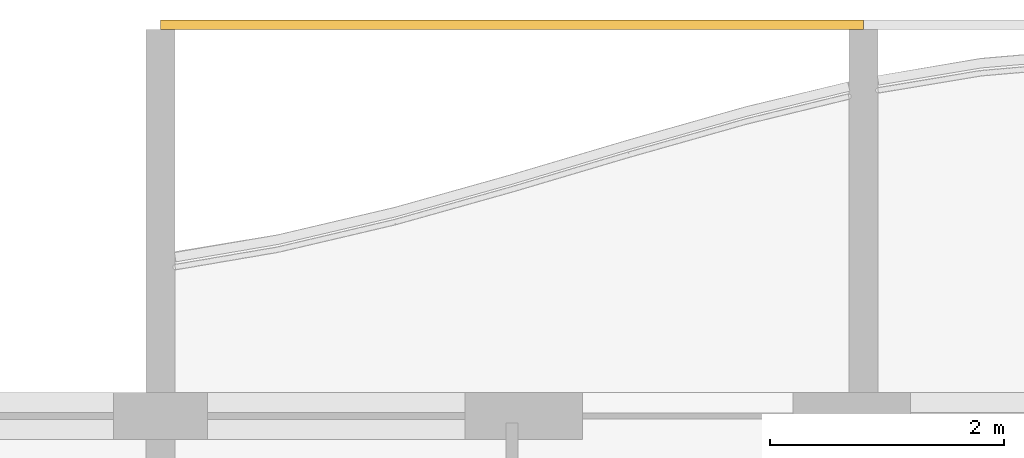
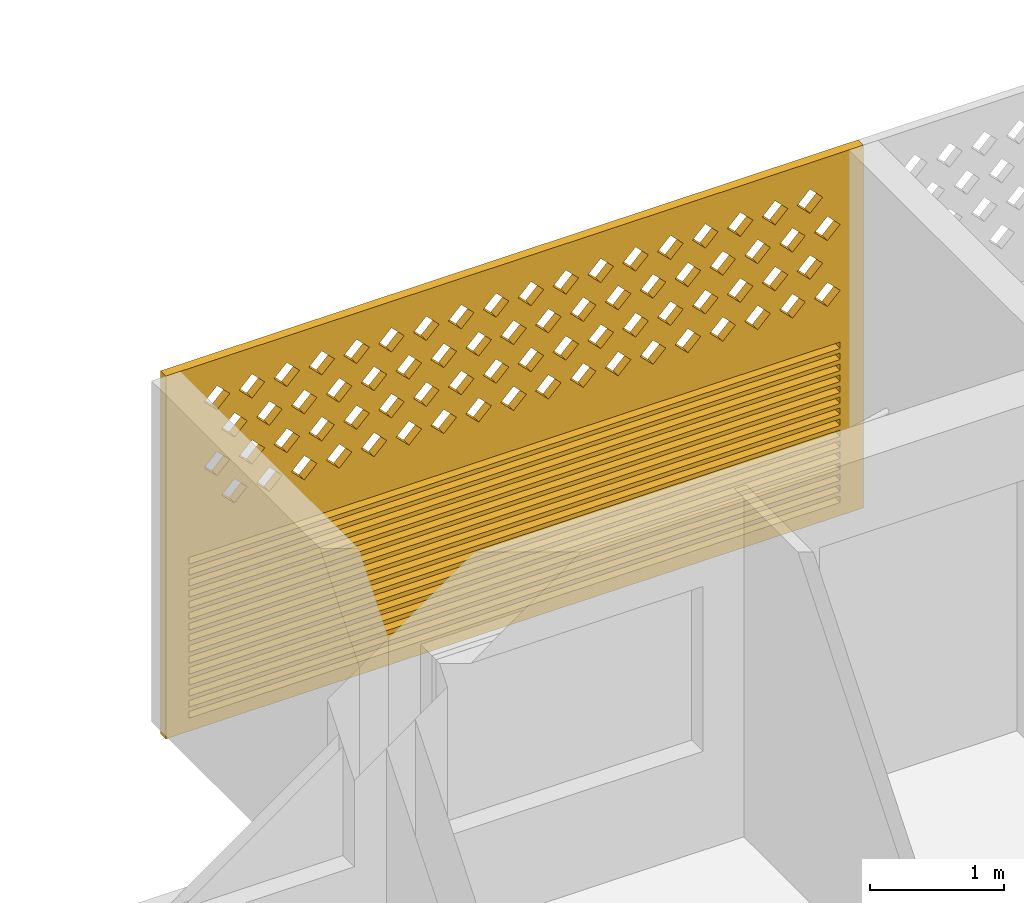
# One storey, part 19 of 29: 1 covering.
"""IFC4 building model written with IfcOpenShell, lengths in metres."""

from ifc_helpers import new_model, si_unit, direction, frame, origin, place, context, subcontext, project, spatial, polyline, outline, extrude, source, transform, mapped, material, material_profile, profile_set, type_object, element, save


model = new_model("IFC4")

# Units and contexts
model_context = context("Model", 3, precision=1e-05, world=origin(), true_north=direction((0.0, 1.0)))
body_context = subcontext(model_context, "Body", "Model", "MODEL_VIEW")
ifc_project = project(units=[si_unit("LENGTHUNIT", "METRE"), si_unit("AREAUNIT", "SQUARE_METRE"), si_unit("VOLUMEUNIT", "CUBIC_METRE"), si_unit("PLANEANGLEUNIT", "RADIAN"), si_unit("MASSUNIT", "GRAM", prefix="KILO")], contexts=[model_context])

# Site, building, storey
site_placement = place(None, origin())
site = spatial("IfcSite", under=ifc_project, at=site_placement, CompositionType="ELEMENT")
building_placement = place(site_placement, origin())
building = spatial("IfcBuilding", under=site, at=building_placement, Name="Poui Terraces", CompositionType="ELEMENT")
storey_placement = place(building_placement, frame((0.0, 0.0, 237.89990234375)))
storey = spatial("IfcBuildingStorey", under=building, at=storey_placement, Name="L66", CompositionType="ELEMENT", Elevation=237.89990234375)

# Covering
ifc_material = material(Name="Terracotta screen", Category="masonry")
ifc_material_profile = material_profile(ifc_material, outline(polyline([(-3.0, -1.64990234375), (3.0, -1.64990234375), (3.0, 1.64990234375), (-3.0, 1.64990234375), (-3.0, -1.64990234375)]), holes=[polyline([(-2.800048828125, 0.39990234375), (-2.68994140625, 0.2900390625), (-2.580078125, 0.39990234375), (-2.68994140625, 0.510009765625), (-2.800048828125, 0.39990234375)]), polyline([(-2.5, 0.39990234375), (-2.389892578125, 0.2900390625), (-2.280029296875, 0.39990234375), (-2.389892578125, 0.510009765625), (-2.5, 0.39990234375)]), polyline([(-2.199951171875, 0.39990234375), (-2.090087890625, 0.2900390625), (-1.97998046875, 0.39990234375), (-2.090087890625, 0.510009765625), (-2.199951171875, 0.39990234375)]), polyline([(-1.89990234375, 0.39990234375), (-1.7900390625, 0.2900390625), (-1.679931640625, 0.39990234375), (-1.7900390625, 0.510009765625), (-1.89990234375, 0.39990234375)]), polyline([(-1.60009765625, 0.39990234375), (-1.489990234375, 0.2900390625), (-1.3798828125, 0.39990234375), (-1.489990234375, 0.510009765625), (-1.60009765625, 0.39990234375)]), polyline([(-1.300048828125, 0.39990234375), (-1.18994140625, 0.2900390625), (-1.080078125, 0.39990234375), (-1.18994140625, 0.510009765625), (-1.300048828125, 0.39990234375)]), polyline([(-1.0, 0.39990234375), (-0.889892578125, 0.2900390625), (-0.780029296875, 0.39990234375), (-0.889892578125, 0.510009765625), (-1.0, 0.39990234375)]), polyline([(-0.699951171875, 0.39990234375), (-0.590087890625, 0.2900390625), (-0.47998046875, 0.39990234375), (-0.590087890625, 0.510009765625), (-0.699951171875, 0.39990234375)]), polyline([(-0.39990234375, 0.39990234375), (-0.2900390625, 0.2900390625), (-0.179931640625, 0.39990234375), (-0.2900390625, 0.510009765625), (-0.39990234375, 0.39990234375)]), polyline([(-0.10009765625, 0.39990234375), (0.010009765625, 0.2900390625), (0.1201171875, 0.39990234375), (0.010009765625, 0.510009765625), (-0.10009765625, 0.39990234375)]), polyline([(0.199951171875, 0.39990234375), (0.31005859375, 0.2900390625), (0.419921875, 0.39990234375), (0.31005859375, 0.510009765625), (0.199951171875, 0.39990234375)]), polyline([(0.5, 0.39990234375), (0.610107421875, 0.2900390625), (0.719970703125, 0.39990234375), (0.610107421875, 0.510009765625), (0.5, 0.39990234375)]), polyline([(0.800048828125, 0.39990234375), (0.909912109375, 0.2900390625), (1.02001953125, 0.39990234375), (0.909912109375, 0.510009765625), (0.800048828125, 0.39990234375)]), polyline([(1.10009765625, 0.39990234375), (1.2099609375, 0.2900390625), (1.320068359375, 0.39990234375), (1.2099609375, 0.510009765625), (1.10009765625, 0.39990234375)]), polyline([(1.39990234375, 0.39990234375), (1.510009765625, 0.2900390625), (1.6201171875, 0.39990234375), (1.510009765625, 0.510009765625), (1.39990234375, 0.39990234375)]), polyline([(1.699951171875, 0.39990234375), (1.81005859375, 0.2900390625), (1.919921875, 0.39990234375), (1.81005859375, 0.510009765625), (1.699951171875, 0.39990234375)]), polyline([(2.0, 0.39990234375), (2.110107421875, 0.2900390625), (2.219970703125, 0.39990234375), (2.110107421875, 0.510009765625), (2.0, 0.39990234375)]), polyline([(2.300048828125, 0.39990234375), (2.409912109375, 0.2900390625), (2.52001953125, 0.39990234375), (2.409912109375, 0.510009765625), (2.300048828125, 0.39990234375)]), polyline([(-2.64990234375, 0.699951171875), (-2.5400390625, 0.590087890625), (-2.429931640625, 0.699951171875), (-2.5400390625, 0.81005859375), (-2.64990234375, 0.699951171875)]), polyline([(-2.35009765625, 0.699951171875), (-2.239990234375, 0.590087890625), (-2.1298828125, 0.699951171875), (-2.239990234375, 0.81005859375), (-2.35009765625, 0.699951171875)]), polyline([(-2.050048828125, 0.699951171875), (-1.93994140625, 0.590087890625), (-1.830078125, 0.699951171875), (-1.93994140625, 0.81005859375), (-2.050048828125, 0.699951171875)]), polyline([(-1.75, 0.699951171875), (-1.639892578125, 0.590087890625), (-1.530029296875, 0.699951171875), (-1.639892578125, 0.81005859375), (-1.75, 0.699951171875)]), polyline([(-1.449951171875, 0.699951171875), (-1.340087890625, 0.590087890625), (-1.22998046875, 0.699951171875), (-1.340087890625, 0.81005859375), (-1.449951171875, 0.699951171875)]), polyline([(-1.14990234375, 0.699951171875), (-1.0400390625, 0.590087890625), (-0.929931640625, 0.699951171875), (-1.0400390625, 0.81005859375), (-1.14990234375, 0.699951171875)]), polyline([(-0.85009765625, 0.699951171875), (-0.739990234375, 0.590087890625), (-0.6298828125, 0.699951171875), (-0.739990234375, 0.81005859375), (-0.85009765625, 0.699951171875)]), polyline([(-0.550048828125, 0.699951171875), (-0.43994140625, 0.590087890625), (-0.330078125, 0.699951171875), (-0.43994140625, 0.81005859375), (-0.550048828125, 0.699951171875)]), polyline([(-0.25, 0.699951171875), (-0.139892578125, 0.590087890625), (-0.030029296875, 0.699951171875), (-0.139892578125, 0.81005859375), (-0.25, 0.699951171875)]), polyline([(0.050048828125, 0.699951171875), (0.159912109375, 0.590087890625), (0.27001953125, 0.699951171875), (0.159912109375, 0.81005859375), (0.050048828125, 0.699951171875)]), polyline([(0.35009765625, 0.699951171875), (0.4599609375, 0.590087890625), (0.570068359375, 0.699951171875), (0.4599609375, 0.81005859375), (0.35009765625, 0.699951171875)]), polyline([(0.64990234375, 0.699951171875), (0.760009765625, 0.590087890625), (0.8701171875, 0.699951171875), (0.760009765625, 0.81005859375), (0.64990234375, 0.699951171875)]), polyline([(0.949951171875, 0.699951171875), (1.06005859375, 0.590087890625), (1.169921875, 0.699951171875), (1.06005859375, 0.81005859375), (0.949951171875, 0.699951171875)]), polyline([(1.25, 0.699951171875), (1.360107421875, 0.590087890625), (1.469970703125, 0.699951171875), (1.360107421875, 0.81005859375), (1.25, 0.699951171875)]), polyline([(1.550048828125, 0.699951171875), (1.659912109375, 0.590087890625), (1.77001953125, 0.699951171875), (1.659912109375, 0.81005859375), (1.550048828125, 0.699951171875)]), polyline([(1.85009765625, 0.699951171875), (1.9599609375, 0.590087890625), (2.070068359375, 0.699951171875), (1.9599609375, 0.81005859375), (1.85009765625, 0.699951171875)]), polyline([(2.14990234375, 0.699951171875), (2.260009765625, 0.590087890625), (2.3701171875, 0.699951171875), (2.260009765625, 0.81005859375), (2.14990234375, 0.699951171875)]), polyline([(2.449951171875, 0.699951171875), (2.56005859375, 0.590087890625), (2.669921875, 0.699951171875), (2.56005859375, 0.81005859375), (2.449951171875, 0.699951171875)]), polyline([(-2.800048828125, 1.0), (-2.68994140625, 0.889892578125), (-2.580078125, 1.0), (-2.68994140625, 1.110107421875), (-2.800048828125, 1.0)]), polyline([(-2.5, 1.0), (-2.389892578125, 0.889892578125), (-2.280029296875, 1.0), (-2.389892578125, 1.110107421875), (-2.5, 1.0)]), polyline([(-2.199951171875, 1.0), (-2.090087890625, 0.889892578125), (-1.97998046875, 1.0), (-2.090087890625, 1.110107421875), (-2.199951171875, 1.0)]), polyline([(-1.89990234375, 1.0), (-1.7900390625, 0.889892578125), (-1.679931640625, 1.0), (-1.7900390625, 1.110107421875), (-1.89990234375, 1.0)]), polyline([(-1.60009765625, 1.0), (-1.489990234375, 0.889892578125), (-1.3798828125, 1.0), (-1.489990234375, 1.110107421875), (-1.60009765625, 1.0)]), polyline([(-1.300048828125, 1.0), (-1.18994140625, 0.889892578125), (-1.080078125, 1.0), (-1.18994140625, 1.110107421875), (-1.300048828125, 1.0)]), polyline([(-1.0, 1.0), (-0.889892578125, 0.889892578125), (-0.780029296875, 1.0), (-0.889892578125, 1.110107421875), (-1.0, 1.0)]), polyline([(-0.699951171875, 1.0), (-0.590087890625, 0.889892578125), (-0.47998046875, 1.0), (-0.590087890625, 1.110107421875), (-0.699951171875, 1.0)]), polyline([(-0.39990234375, 1.0), (-0.2900390625, 0.889892578125), (-0.179931640625, 1.0), (-0.2900390625, 1.110107421875), (-0.39990234375, 1.0)]), polyline([(-0.10009765625, 1.0), (0.010009765625, 0.889892578125), (0.1201171875, 1.0), (0.010009765625, 1.110107421875), (-0.10009765625, 1.0)]), polyline([(0.199951171875, 1.0), (0.31005859375, 0.889892578125), (0.419921875, 1.0), (0.31005859375, 1.110107421875), (0.199951171875, 1.0)]), polyline([(0.5, 1.0), (0.610107421875, 0.889892578125), (0.719970703125, 1.0), (0.610107421875, 1.110107421875), (0.5, 1.0)]), polyline([(0.800048828125, 1.0), (0.909912109375, 0.889892578125), (1.02001953125, 1.0), (0.909912109375, 1.110107421875), (0.800048828125, 1.0)]), polyline([(1.10009765625, 1.0), (1.2099609375, 0.889892578125), (1.320068359375, 1.0), (1.2099609375, 1.110107421875), (1.10009765625, 1.0)]), polyline([(1.39990234375, 1.0), (1.510009765625, 0.889892578125), (1.6201171875, 1.0), (1.510009765625, 1.110107421875), (1.39990234375, 1.0)]), polyline([(1.699951171875, 1.0), (1.81005859375, 0.889892578125), (1.919921875, 1.0), (1.81005859375, 1.110107421875), (1.699951171875, 1.0)]), polyline([(2.0, 1.0), (2.110107421875, 0.889892578125), (2.219970703125, 1.0), (2.110107421875, 1.110107421875), (2.0, 1.0)]), polyline([(2.300048828125, 1.0), (2.409912109375, 0.889892578125), (2.52001953125, 1.0), (2.409912109375, 1.110107421875), (2.300048828125, 1.0)]), polyline([(-2.64990234375, 1.300048828125), (-2.5400390625, 1.18994140625), (-2.429931640625, 1.300048828125), (-2.5400390625, 1.409912109375), (-2.64990234375, 1.300048828125)]), polyline([(-2.35009765625, 1.300048828125), (-2.239990234375, 1.18994140625), (-2.1298828125, 1.300048828125), (-2.239990234375, 1.409912109375), (-2.35009765625, 1.300048828125)]), polyline([(-2.050048828125, 1.300048828125), (-1.93994140625, 1.18994140625), (-1.830078125, 1.300048828125), (-1.93994140625, 1.409912109375), (-2.050048828125, 1.300048828125)]), polyline([(-1.75, 1.300048828125), (-1.639892578125, 1.18994140625), (-1.530029296875, 1.300048828125), (-1.639892578125, 1.409912109375), (-1.75, 1.300048828125)]), polyline([(-1.449951171875, 1.300048828125), (-1.340087890625, 1.18994140625), (-1.22998046875, 1.300048828125), (-1.340087890625, 1.409912109375), (-1.449951171875, 1.300048828125)]), polyline([(-1.14990234375, 1.300048828125), (-1.0400390625, 1.18994140625), (-0.929931640625, 1.300048828125), (-1.0400390625, 1.409912109375), (-1.14990234375, 1.300048828125)]), polyline([(-0.85009765625, 1.300048828125), (-0.739990234375, 1.18994140625), (-0.6298828125, 1.300048828125), (-0.739990234375, 1.409912109375), (-0.85009765625, 1.300048828125)]), polyline([(-0.550048828125, 1.300048828125), (-0.43994140625, 1.18994140625), (-0.330078125, 1.300048828125), (-0.43994140625, 1.409912109375), (-0.550048828125, 1.300048828125)]), polyline([(-0.25, 1.300048828125), (-0.139892578125, 1.18994140625), (-0.030029296875, 1.300048828125), (-0.139892578125, 1.409912109375), (-0.25, 1.300048828125)]), polyline([(0.050048828125, 1.300048828125), (0.159912109375, 1.18994140625), (0.27001953125, 1.300048828125), (0.159912109375, 1.409912109375), (0.050048828125, 1.300048828125)]), polyline([(0.35009765625, 1.300048828125), (0.4599609375, 1.18994140625), (0.570068359375, 1.300048828125), (0.4599609375, 1.409912109375), (0.35009765625, 1.300048828125)]), polyline([(0.64990234375, 1.300048828125), (0.760009765625, 1.18994140625), (0.8701171875, 1.300048828125), (0.760009765625, 1.409912109375), (0.64990234375, 1.300048828125)]), polyline([(0.949951171875, 1.300048828125), (1.06005859375, 1.18994140625), (1.169921875, 1.300048828125), (1.06005859375, 1.409912109375), (0.949951171875, 1.300048828125)]), polyline([(1.25, 1.300048828125), (1.360107421875, 1.18994140625), (1.469970703125, 1.300048828125), (1.360107421875, 1.409912109375), (1.25, 1.300048828125)]), polyline([(1.550048828125, 1.300048828125), (1.659912109375, 1.18994140625), (1.77001953125, 1.300048828125), (1.659912109375, 1.409912109375), (1.550048828125, 1.300048828125)]), polyline([(1.85009765625, 1.300048828125), (1.9599609375, 1.18994140625), (2.070068359375, 1.300048828125), (1.9599609375, 1.409912109375), (1.85009765625, 1.300048828125)]), polyline([(2.14990234375, 1.300048828125), (2.260009765625, 1.18994140625), (2.3701171875, 1.300048828125), (2.260009765625, 1.409912109375), (2.14990234375, 1.300048828125)]), polyline([(2.449951171875, 1.300048828125), (2.56005859375, 1.18994140625), (2.669921875, 1.300048828125), (2.56005859375, 1.409912109375), (2.449951171875, 1.300048828125)]), polyline([(-2.800048828125, -1.530029296875), (2.800048828125, -1.530029296875), (2.800048828125, -1.469970703125), (-2.800048828125, -1.469970703125), (-2.800048828125, -1.530029296875)]), polyline([(-2.800048828125, -1.429931640625), (2.800048828125, -1.429931640625), (2.800048828125, -1.3701171875), (-2.800048828125, -1.3701171875), (-2.800048828125, -1.429931640625)]), polyline([(-2.800048828125, -1.330078125), (2.800048828125, -1.330078125), (2.800048828125, -1.27001953125), (-2.800048828125, -1.27001953125), (-2.800048828125, -1.330078125)]), polyline([(-2.800048828125, -1.22998046875), (2.800048828125, -1.22998046875), (2.800048828125, -1.169921875), (-2.800048828125, -1.169921875), (-2.800048828125, -1.22998046875)]), polyline([(-2.800048828125, -1.1298828125), (2.800048828125, -1.1298828125), (2.800048828125, -1.070068359375), (-2.800048828125, -1.070068359375), (-2.800048828125, -1.1298828125)]), polyline([(-2.800048828125, -1.030029296875), (2.800048828125, -1.030029296875), (2.800048828125, -0.969970703125), (-2.800048828125, -0.969970703125), (-2.800048828125, -1.030029296875)]), polyline([(-2.800048828125, -0.929931640625), (2.800048828125, -0.929931640625), (2.800048828125, -0.8701171875), (-2.800048828125, -0.8701171875), (-2.800048828125, -0.929931640625)]), polyline([(-2.800048828125, -0.830078125), (2.800048828125, -0.830078125), (2.800048828125, -0.77001953125), (-2.800048828125, -0.77001953125), (-2.800048828125, -0.830078125)]), polyline([(-2.800048828125, -0.72998046875), (2.800048828125, -0.72998046875), (2.800048828125, -0.669921875), (-2.800048828125, -0.669921875), (-2.800048828125, -0.72998046875)]), polyline([(-2.800048828125, -0.6298828125), (2.800048828125, -0.6298828125), (2.800048828125, -0.570068359375), (-2.800048828125, -0.570068359375), (-2.800048828125, -0.6298828125)]), polyline([(-2.800048828125, -0.530029296875), (2.800048828125, -0.530029296875), (2.800048828125, -0.469970703125), (-2.800048828125, -0.469970703125), (-2.800048828125, -0.530029296875)]), polyline([(-2.800048828125, -0.429931640625), (2.800048828125, -0.429931640625), (2.800048828125, -0.3701171875), (-2.800048828125, -0.3701171875), (-2.800048828125, -0.429931640625)]), polyline([(-2.800048828125, -0.330078125), (2.800048828125, -0.330078125), (2.800048828125, -0.27001953125), (-2.800048828125, -0.27001953125), (-2.800048828125, -0.330078125)]), polyline([(-2.800048828125, -0.22998046875), (2.800048828125, -0.22998046875), (2.800048828125, -0.169921875), (-2.800048828125, -0.169921875), (-2.800048828125, -0.22998046875)]), polyline([(-2.800048828125, -0.1298828125), (2.800048828125, -0.1298828125), (2.800048828125, -0.070068359375), (-2.800048828125, -0.070068359375), (-2.800048828125, -0.1298828125)])]), Name="TERRACOTTA SCREEN AND JALOUSIE LOUVRE 6000X3300")
ifc_profile_set = profile_set([ifc_material_profile], Name="Terracotta screen")
covering_type = type_object("IfcCoveringType", Name="TERRACOTTA SCREEN AND JALOUSIE LOUVRE 6000X3300", PredefinedType="CLADDING", material=ifc_profile_set)
shared_shape = source(origin(), body_context, "Body", "SweptSolid", [
    extrude(outline(polyline([(-3.0, -1.64990234375), (3.0, -1.64990234375), (3.0, 1.64990234375), (-3.0, 1.64990234375), (-3.0, -1.64990234375)]), holes=[polyline([(-2.800048828125, 0.39990234375), (-2.68994140625, 0.2900390625), (-2.580078125, 0.39990234375), (-2.68994140625, 0.510009765625), (-2.800048828125, 0.39990234375)]), polyline([(-2.5, 0.39990234375), (-2.389892578125, 0.2900390625), (-2.280029296875, 0.39990234375), (-2.389892578125, 0.510009765625), (-2.5, 0.39990234375)]), polyline([(-2.199951171875, 0.39990234375), (-2.090087890625, 0.2900390625), (-1.97998046875, 0.39990234375), (-2.090087890625, 0.510009765625), (-2.199951171875, 0.39990234375)]), polyline([(-1.89990234375, 0.39990234375), (-1.7900390625, 0.2900390625), (-1.679931640625, 0.39990234375), (-1.7900390625, 0.510009765625), (-1.89990234375, 0.39990234375)]), polyline([(-1.60009765625, 0.39990234375), (-1.489990234375, 0.2900390625), (-1.3798828125, 0.39990234375), (-1.489990234375, 0.510009765625), (-1.60009765625, 0.39990234375)]), polyline([(-1.300048828125, 0.39990234375), (-1.18994140625, 0.2900390625), (-1.080078125, 0.39990234375), (-1.18994140625, 0.510009765625), (-1.300048828125, 0.39990234375)]), polyline([(-1.0, 0.39990234375), (-0.889892578125, 0.2900390625), (-0.780029296875, 0.39990234375), (-0.889892578125, 0.510009765625), (-1.0, 0.39990234375)]), polyline([(-0.699951171875, 0.39990234375), (-0.590087890625, 0.2900390625), (-0.47998046875, 0.39990234375), (-0.590087890625, 0.510009765625), (-0.699951171875, 0.39990234375)]), polyline([(-0.39990234375, 0.39990234375), (-0.2900390625, 0.2900390625), (-0.179931640625, 0.39990234375), (-0.2900390625, 0.510009765625), (-0.39990234375, 0.39990234375)]), polyline([(-0.10009765625, 0.39990234375), (0.010009765625, 0.2900390625), (0.1201171875, 0.39990234375), (0.010009765625, 0.510009765625), (-0.10009765625, 0.39990234375)]), polyline([(0.199951171875, 0.39990234375), (0.31005859375, 0.2900390625), (0.419921875, 0.39990234375), (0.31005859375, 0.510009765625), (0.199951171875, 0.39990234375)]), polyline([(0.5, 0.39990234375), (0.610107421875, 0.2900390625), (0.719970703125, 0.39990234375), (0.610107421875, 0.510009765625), (0.5, 0.39990234375)]), polyline([(0.800048828125, 0.39990234375), (0.909912109375, 0.2900390625), (1.02001953125, 0.39990234375), (0.909912109375, 0.510009765625), (0.800048828125, 0.39990234375)]), polyline([(1.10009765625, 0.39990234375), (1.2099609375, 0.2900390625), (1.320068359375, 0.39990234375), (1.2099609375, 0.510009765625), (1.10009765625, 0.39990234375)]), polyline([(1.39990234375, 0.39990234375), (1.510009765625, 0.2900390625), (1.6201171875, 0.39990234375), (1.510009765625, 0.510009765625), (1.39990234375, 0.39990234375)]), polyline([(1.699951171875, 0.39990234375), (1.81005859375, 0.2900390625), (1.919921875, 0.39990234375), (1.81005859375, 0.510009765625), (1.699951171875, 0.39990234375)]), polyline([(2.0, 0.39990234375), (2.110107421875, 0.2900390625), (2.219970703125, 0.39990234375), (2.110107421875, 0.510009765625), (2.0, 0.39990234375)]), polyline([(2.300048828125, 0.39990234375), (2.409912109375, 0.2900390625), (2.52001953125, 0.39990234375), (2.409912109375, 0.510009765625), (2.300048828125, 0.39990234375)]), polyline([(-2.64990234375, 0.699951171875), (-2.5400390625, 0.590087890625), (-2.429931640625, 0.699951171875), (-2.5400390625, 0.81005859375), (-2.64990234375, 0.699951171875)]), polyline([(-2.35009765625, 0.699951171875), (-2.239990234375, 0.590087890625), (-2.1298828125, 0.699951171875), (-2.239990234375, 0.81005859375), (-2.35009765625, 0.699951171875)]), polyline([(-2.050048828125, 0.699951171875), (-1.93994140625, 0.590087890625), (-1.830078125, 0.699951171875), (-1.93994140625, 0.81005859375), (-2.050048828125, 0.699951171875)]), polyline([(-1.75, 0.699951171875), (-1.639892578125, 0.590087890625), (-1.530029296875, 0.699951171875), (-1.639892578125, 0.81005859375), (-1.75, 0.699951171875)]), polyline([(-1.449951171875, 0.699951171875), (-1.340087890625, 0.590087890625), (-1.22998046875, 0.699951171875), (-1.340087890625, 0.81005859375), (-1.449951171875, 0.699951171875)]), polyline([(-1.14990234375, 0.699951171875), (-1.0400390625, 0.590087890625), (-0.929931640625, 0.699951171875), (-1.0400390625, 0.81005859375), (-1.14990234375, 0.699951171875)]), polyline([(-0.85009765625, 0.699951171875), (-0.739990234375, 0.590087890625), (-0.6298828125, 0.699951171875), (-0.739990234375, 0.81005859375), (-0.85009765625, 0.699951171875)]), polyline([(-0.550048828125, 0.699951171875), (-0.43994140625, 0.590087890625), (-0.330078125, 0.699951171875), (-0.43994140625, 0.81005859375), (-0.550048828125, 0.699951171875)]), polyline([(-0.25, 0.699951171875), (-0.139892578125, 0.590087890625), (-0.030029296875, 0.699951171875), (-0.139892578125, 0.81005859375), (-0.25, 0.699951171875)]), polyline([(0.050048828125, 0.699951171875), (0.159912109375, 0.590087890625), (0.27001953125, 0.699951171875), (0.159912109375, 0.81005859375), (0.050048828125, 0.699951171875)]), polyline([(0.35009765625, 0.699951171875), (0.4599609375, 0.590087890625), (0.570068359375, 0.699951171875), (0.4599609375, 0.81005859375), (0.35009765625, 0.699951171875)]), polyline([(0.64990234375, 0.699951171875), (0.760009765625, 0.590087890625), (0.8701171875, 0.699951171875), (0.760009765625, 0.81005859375), (0.64990234375, 0.699951171875)]), polyline([(0.949951171875, 0.699951171875), (1.06005859375, 0.590087890625), (1.169921875, 0.699951171875), (1.06005859375, 0.81005859375), (0.949951171875, 0.699951171875)]), polyline([(1.25, 0.699951171875), (1.360107421875, 0.590087890625), (1.469970703125, 0.699951171875), (1.360107421875, 0.81005859375), (1.25, 0.699951171875)]), polyline([(1.550048828125, 0.699951171875), (1.659912109375, 0.590087890625), (1.77001953125, 0.699951171875), (1.659912109375, 0.81005859375), (1.550048828125, 0.699951171875)]), polyline([(1.85009765625, 0.699951171875), (1.9599609375, 0.590087890625), (2.070068359375, 0.699951171875), (1.9599609375, 0.81005859375), (1.85009765625, 0.699951171875)]), polyline([(2.14990234375, 0.699951171875), (2.260009765625, 0.590087890625), (2.3701171875, 0.699951171875), (2.260009765625, 0.81005859375), (2.14990234375, 0.699951171875)]), polyline([(2.449951171875, 0.699951171875), (2.56005859375, 0.590087890625), (2.669921875, 0.699951171875), (2.56005859375, 0.81005859375), (2.449951171875, 0.699951171875)]), polyline([(-2.800048828125, 1.0), (-2.68994140625, 0.889892578125), (-2.580078125, 1.0), (-2.68994140625, 1.110107421875), (-2.800048828125, 1.0)]), polyline([(-2.5, 1.0), (-2.389892578125, 0.889892578125), (-2.280029296875, 1.0), (-2.389892578125, 1.110107421875), (-2.5, 1.0)]), polyline([(-2.199951171875, 1.0), (-2.090087890625, 0.889892578125), (-1.97998046875, 1.0), (-2.090087890625, 1.110107421875), (-2.199951171875, 1.0)]), polyline([(-1.89990234375, 1.0), (-1.7900390625, 0.889892578125), (-1.679931640625, 1.0), (-1.7900390625, 1.110107421875), (-1.89990234375, 1.0)]), polyline([(-1.60009765625, 1.0), (-1.489990234375, 0.889892578125), (-1.3798828125, 1.0), (-1.489990234375, 1.110107421875), (-1.60009765625, 1.0)]), polyline([(-1.300048828125, 1.0), (-1.18994140625, 0.889892578125), (-1.080078125, 1.0), (-1.18994140625, 1.110107421875), (-1.300048828125, 1.0)]), polyline([(-1.0, 1.0), (-0.889892578125, 0.889892578125), (-0.780029296875, 1.0), (-0.889892578125, 1.110107421875), (-1.0, 1.0)]), polyline([(-0.699951171875, 1.0), (-0.590087890625, 0.889892578125), (-0.47998046875, 1.0), (-0.590087890625, 1.110107421875), (-0.699951171875, 1.0)]), polyline([(-0.39990234375, 1.0), (-0.2900390625, 0.889892578125), (-0.179931640625, 1.0), (-0.2900390625, 1.110107421875), (-0.39990234375, 1.0)]), polyline([(-0.10009765625, 1.0), (0.010009765625, 0.889892578125), (0.1201171875, 1.0), (0.010009765625, 1.110107421875), (-0.10009765625, 1.0)]), polyline([(0.199951171875, 1.0), (0.31005859375, 0.889892578125), (0.419921875, 1.0), (0.31005859375, 1.110107421875), (0.199951171875, 1.0)]), polyline([(0.5, 1.0), (0.610107421875, 0.889892578125), (0.719970703125, 1.0), (0.610107421875, 1.110107421875), (0.5, 1.0)]), polyline([(0.800048828125, 1.0), (0.909912109375, 0.889892578125), (1.02001953125, 1.0), (0.909912109375, 1.110107421875), (0.800048828125, 1.0)]), polyline([(1.10009765625, 1.0), (1.2099609375, 0.889892578125), (1.320068359375, 1.0), (1.2099609375, 1.110107421875), (1.10009765625, 1.0)]), polyline([(1.39990234375, 1.0), (1.510009765625, 0.889892578125), (1.6201171875, 1.0), (1.510009765625, 1.110107421875), (1.39990234375, 1.0)]), polyline([(1.699951171875, 1.0), (1.81005859375, 0.889892578125), (1.919921875, 1.0), (1.81005859375, 1.110107421875), (1.699951171875, 1.0)]), polyline([(2.0, 1.0), (2.110107421875, 0.889892578125), (2.219970703125, 1.0), (2.110107421875, 1.110107421875), (2.0, 1.0)]), polyline([(2.300048828125, 1.0), (2.409912109375, 0.889892578125), (2.52001953125, 1.0), (2.409912109375, 1.110107421875), (2.300048828125, 1.0)]), polyline([(-2.64990234375, 1.300048828125), (-2.5400390625, 1.18994140625), (-2.429931640625, 1.300048828125), (-2.5400390625, 1.409912109375), (-2.64990234375, 1.300048828125)]), polyline([(-2.35009765625, 1.300048828125), (-2.239990234375, 1.18994140625), (-2.1298828125, 1.300048828125), (-2.239990234375, 1.409912109375), (-2.35009765625, 1.300048828125)]), polyline([(-2.050048828125, 1.300048828125), (-1.93994140625, 1.18994140625), (-1.830078125, 1.300048828125), (-1.93994140625, 1.409912109375), (-2.050048828125, 1.300048828125)]), polyline([(-1.75, 1.300048828125), (-1.639892578125, 1.18994140625), (-1.530029296875, 1.300048828125), (-1.639892578125, 1.409912109375), (-1.75, 1.300048828125)]), polyline([(-1.449951171875, 1.300048828125), (-1.340087890625, 1.18994140625), (-1.22998046875, 1.300048828125), (-1.340087890625, 1.409912109375), (-1.449951171875, 1.300048828125)]), polyline([(-1.14990234375, 1.300048828125), (-1.0400390625, 1.18994140625), (-0.929931640625, 1.300048828125), (-1.0400390625, 1.409912109375), (-1.14990234375, 1.300048828125)]), polyline([(-0.85009765625, 1.300048828125), (-0.739990234375, 1.18994140625), (-0.6298828125, 1.300048828125), (-0.739990234375, 1.409912109375), (-0.85009765625, 1.300048828125)]), polyline([(-0.550048828125, 1.300048828125), (-0.43994140625, 1.18994140625), (-0.330078125, 1.300048828125), (-0.43994140625, 1.409912109375), (-0.550048828125, 1.300048828125)]), polyline([(-0.25, 1.300048828125), (-0.139892578125, 1.18994140625), (-0.030029296875, 1.300048828125), (-0.139892578125, 1.409912109375), (-0.25, 1.300048828125)]), polyline([(0.050048828125, 1.300048828125), (0.159912109375, 1.18994140625), (0.27001953125, 1.300048828125), (0.159912109375, 1.409912109375), (0.050048828125, 1.300048828125)]), polyline([(0.35009765625, 1.300048828125), (0.4599609375, 1.18994140625), (0.570068359375, 1.300048828125), (0.4599609375, 1.409912109375), (0.35009765625, 1.300048828125)]), polyline([(0.64990234375, 1.300048828125), (0.760009765625, 1.18994140625), (0.8701171875, 1.300048828125), (0.760009765625, 1.409912109375), (0.64990234375, 1.300048828125)]), polyline([(0.949951171875, 1.300048828125), (1.06005859375, 1.18994140625), (1.169921875, 1.300048828125), (1.06005859375, 1.409912109375), (0.949951171875, 1.300048828125)]), polyline([(1.25, 1.300048828125), (1.360107421875, 1.18994140625), (1.469970703125, 1.300048828125), (1.360107421875, 1.409912109375), (1.25, 1.300048828125)]), polyline([(1.550048828125, 1.300048828125), (1.659912109375, 1.18994140625), (1.77001953125, 1.300048828125), (1.659912109375, 1.409912109375), (1.550048828125, 1.300048828125)]), polyline([(1.85009765625, 1.300048828125), (1.9599609375, 1.18994140625), (2.070068359375, 1.300048828125), (1.9599609375, 1.409912109375), (1.85009765625, 1.300048828125)]), polyline([(2.14990234375, 1.300048828125), (2.260009765625, 1.18994140625), (2.3701171875, 1.300048828125), (2.260009765625, 1.409912109375), (2.14990234375, 1.300048828125)]), polyline([(2.449951171875, 1.300048828125), (2.56005859375, 1.18994140625), (2.669921875, 1.300048828125), (2.56005859375, 1.409912109375), (2.449951171875, 1.300048828125)]), polyline([(-2.800048828125, -1.530029296875), (2.800048828125, -1.530029296875), (2.800048828125, -1.469970703125), (-2.800048828125, -1.469970703125), (-2.800048828125, -1.530029296875)]), polyline([(-2.800048828125, -1.429931640625), (2.800048828125, -1.429931640625), (2.800048828125, -1.3701171875), (-2.800048828125, -1.3701171875), (-2.800048828125, -1.429931640625)]), polyline([(-2.800048828125, -1.330078125), (2.800048828125, -1.330078125), (2.800048828125, -1.27001953125), (-2.800048828125, -1.27001953125), (-2.800048828125, -1.330078125)]), polyline([(-2.800048828125, -1.22998046875), (2.800048828125, -1.22998046875), (2.800048828125, -1.169921875), (-2.800048828125, -1.169921875), (-2.800048828125, -1.22998046875)]), polyline([(-2.800048828125, -1.1298828125), (2.800048828125, -1.1298828125), (2.800048828125, -1.070068359375), (-2.800048828125, -1.070068359375), (-2.800048828125, -1.1298828125)]), polyline([(-2.800048828125, -1.030029296875), (2.800048828125, -1.030029296875), (2.800048828125, -0.969970703125), (-2.800048828125, -0.969970703125), (-2.800048828125, -1.030029296875)]), polyline([(-2.800048828125, -0.929931640625), (2.800048828125, -0.929931640625), (2.800048828125, -0.8701171875), (-2.800048828125, -0.8701171875), (-2.800048828125, -0.929931640625)]), polyline([(-2.800048828125, -0.830078125), (2.800048828125, -0.830078125), (2.800048828125, -0.77001953125), (-2.800048828125, -0.77001953125), (-2.800048828125, -0.830078125)]), polyline([(-2.800048828125, -0.72998046875), (2.800048828125, -0.72998046875), (2.800048828125, -0.669921875), (-2.800048828125, -0.669921875), (-2.800048828125, -0.72998046875)]), polyline([(-2.800048828125, -0.6298828125), (2.800048828125, -0.6298828125), (2.800048828125, -0.570068359375), (-2.800048828125, -0.570068359375), (-2.800048828125, -0.6298828125)]), polyline([(-2.800048828125, -0.530029296875), (2.800048828125, -0.530029296875), (2.800048828125, -0.469970703125), (-2.800048828125, -0.469970703125), (-2.800048828125, -0.530029296875)]), polyline([(-2.800048828125, -0.429931640625), (2.800048828125, -0.429931640625), (2.800048828125, -0.3701171875), (-2.800048828125, -0.3701171875), (-2.800048828125, -0.429931640625)]), polyline([(-2.800048828125, -0.330078125), (2.800048828125, -0.330078125), (2.800048828125, -0.27001953125), (-2.800048828125, -0.27001953125), (-2.800048828125, -0.330078125)]), polyline([(-2.800048828125, -0.22998046875), (2.800048828125, -0.22998046875), (2.800048828125, -0.169921875), (-2.800048828125, -0.169921875), (-2.800048828125, -0.22998046875)]), polyline([(-2.800048828125, -0.1298828125), (2.800048828125, -0.1298828125), (2.800048828125, -0.070068359375), (-2.800048828125, -0.070068359375), (-2.800048828125, -0.1298828125)])]), origin(), (0.0, 0.0, 1.0), 0.080078125),
])
covering_placement = place(storey_placement, frame((39.0, 44.5, 1.4501953125), z_axis=(0.0, 1.0, 0.0), x_axis=(-1.0, 0.0, 0.0)))
element("IfcCovering", 1, at=covering_placement, inside=storey, type_object=covering_type, Name="SOLAR SCREEN AND JALOUSIE LOUVRE", PredefinedType="CLADDING", context=body_context, shape_type="MappedRepresentation", body=[
    mapped(shared_shape, transform((0.0, 0.0, 0.0))),
])

save(model, "model.ifc")
